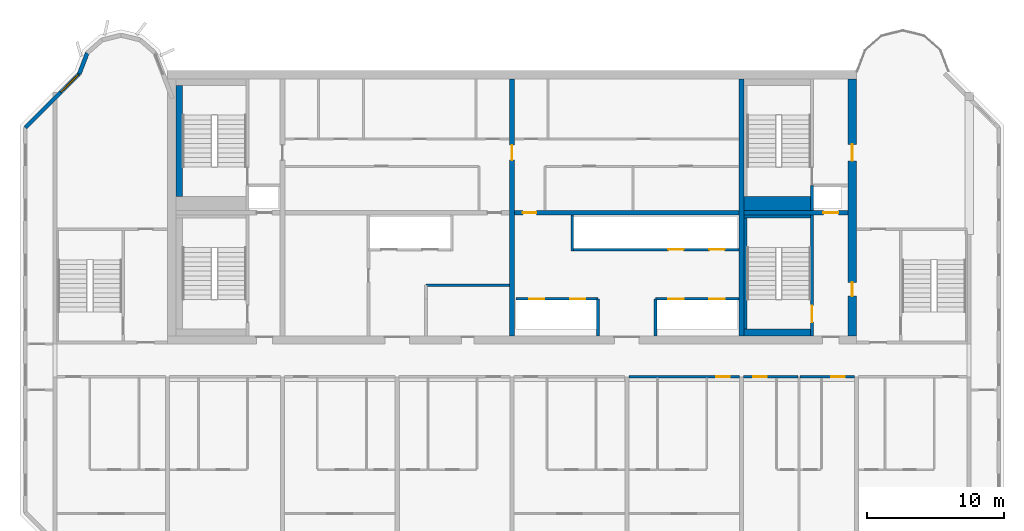
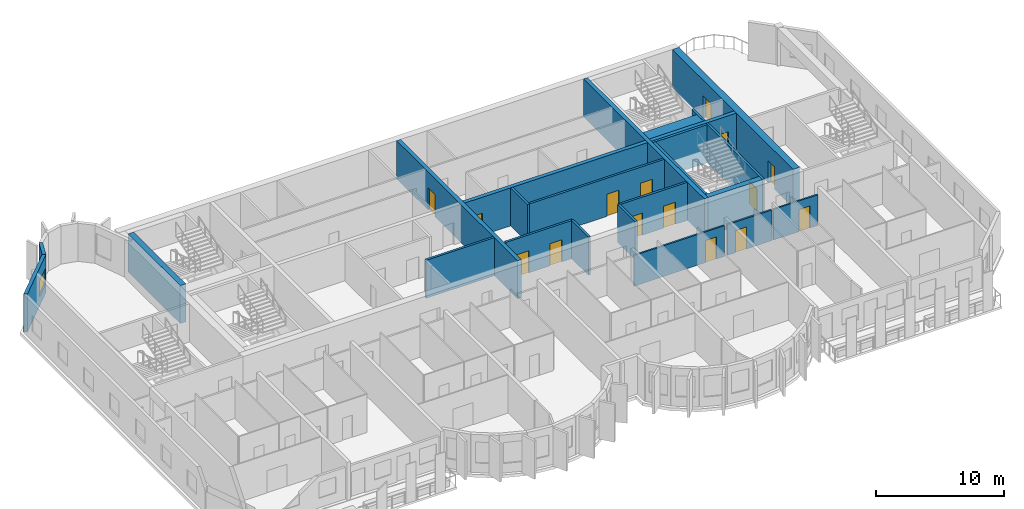
# One storey, part 6 of 12: 24 walls, 15 doors, 1 window, 16 openings.
"""IFC4 building model written with IfcOpenShell, lengths in metres."""

from ifc_helpers import new_model, si_unit, direction, frame, frame_2d, origin, place, context, subcontext, project, spatial, rectangle, extrude, source, transform, mapped, material, layer, layer_set, type_object, element, fill, save


model = new_model("IFC4")

# Units and contexts
model_context = context("Model", 3, precision=1e-05, world=origin(), true_north=direction((0.0, 1.0)))
body_context = subcontext(model_context, "Body", "Model", "MODEL_VIEW")
ifc_project = project(units=[si_unit("LENGTHUNIT", "METRE"), si_unit("AREAUNIT", "SQUARE_METRE"), si_unit("VOLUMEUNIT", "CUBIC_METRE"), si_unit("PLANEANGLEUNIT", "RADIAN"), si_unit("MASSUNIT", "GRAM", prefix="KILO")], contexts=[model_context])

# Site, building, storey
site_placement = place(None, origin())
site = spatial("IfcSite", under=ifc_project, at=site_placement, CompositionType="ELEMENT")
building_placement = place(site_placement, origin())
building = spatial("IfcBuilding", under=site, at=building_placement, Name="Vanashikhar Sky Hotel", CompositionType="ELEMENT")
storey_placement = place(building_placement, frame((0.0, 0.0, 253.0)))
storey = spatial("IfcBuildingStorey", under=building, at=storey_placement, Name="L61", CompositionType="ELEMENT", Elevation=253.0)

# Wall, openings, doors
ifc_material_1 = material(Name="Concrete M60", Category="concrete")
ifc_layer_1 = layer(ifc_material_1, 0.60009765625)
ifc_layer_set_1 = layer_set([ifc_layer_1], Name="RC core shell wall 600 Concrete M60")
wall_type_1 = type_object("IfcWallType", Name="RC core shell wall 600 Concrete M60", PredefinedType="SHEAR", material=ifc_layer_set_1)
shared_shape_1 = source(origin(), body_context, "Body", "SweptSolid", [
    extrude(rectangle(XDim=18.7998046875, YDim=0.60009765625, at=frame_2d((9.39990234375, 0.0))), origin(), (0.0, 0.0, 1.0), 3.6201171875),
])
wall_1_placement = place(storey_placement, frame((75.300048828125, 22.60009765625, 0.0), z_axis=(0.0, 0.0, 1.0), x_axis=(0.0, 1.0, 0.0)))
wall_1 = element("IfcWall", 1, at=wall_1_placement, inside=storey, type_object=wall_type_1, Name="KW-L61-KE", PredefinedType="SHEAR", context=body_context, shape_type="MappedRepresentation", body=[
    mapped(shared_shape_1, transform((0.0, 0.0, 0.0), scale=1.0)),
])
shared_shape_2 = source(origin(), body_context, "Body", "SweptSolid", [
    extrude(rectangle(XDim=1.0, YDim=2.10009765625, at=frame_2d((0.5, 1.050048828125))), frame((0.0, 0.31005859375, 0.0), z_axis=(0.0, -1.0, 0.0), x_axis=(1.0, 0.0, 0.0)), (0.0, 0.0, 1.0), 0.6201171875),
])
opening_1_placement = place(wall_1_placement, frame((2.89990234375, 0.0, 0.0)))
opening_1 = element("IfcOpeningElement", 2, at=opening_1_placement, cuts=wall_1, Name="Opening DC-5", PredefinedType="OPENING", context=body_context, shape_type="MappedRepresentation", body=[
    mapped(shared_shape_2, transform((0.0, 0.0, 0.0), scale=1.0)),
])
shared_shape_3 = source(origin(), body_context, "Body", "SweptSolid", [
    extrude(rectangle(XDim=1.199951171875, YDim=2.10009765625, at=frame_2d((0.60009765625, 1.050048828125))), frame((0.0, 0.31005859375, 0.0), z_axis=(0.0, -1.0, 0.0), x_axis=(1.0, 0.0, 0.0)), (0.0, 0.0, 1.0), 0.6201171875),
])
opening_2_placement = place(wall_1_placement, frame((12.800048828125, 0.0, 0.0)))
opening_2 = element("IfcOpeningElement", 3, at=opening_2_placement, cuts=wall_1, Name="Opening DC-4-D", PredefinedType="OPENING", context=body_context, shape_type="MappedRepresentation", body=[
    mapped(shared_shape_3, transform((0.0, 0.0, 0.0), scale=1.0)),
])
ifc_material_2 = material(Name="Steel", Category="steel")
door_type_1 = type_object("IfcDoorType", Name="Refuge door 1000 FD120", OperationType="NOTDEFINED", PredefinedType="DOOR", material=ifc_material_2)
shared_shape_4 = source(origin(), body_context, "Body", "SweptSolid", [
    extrude(rectangle(XDim=1.0, YDim=2.10009765625, at=frame_2d((0.5, 1.050048828125))), frame((0.0, 0.02490234375, 0.0), z_axis=(0.0, -1.0, 0.0), x_axis=(1.0, 0.0, 0.0)), (0.0, 0.0, 1.0), 0.050048828125),
])
door_1_placement = place(opening_1_placement, origin())
door_1 = element("IfcDoor", 4, at=door_1_placement, inside=storey, type_object=door_type_1, Name="Refuge door 1000 FD120", OperationType="SINGLE_SWING_LEFT", OverallHeight=2.10009765625, OverallWidth=1.0, PredefinedType="DOOR", context=body_context, shape_type="MappedRepresentation", body=[
    mapped(shared_shape_4, transform((0.0, 0.0, 0.0), scale=1.0)),
])
fill(opening_1, door_1)
door_type_2 = type_object("IfcDoorType", Name="Service door 1200 FD120", OperationType="NOTDEFINED", PredefinedType="DOOR", material=ifc_material_2)
shared_shape_5 = source(origin(), body_context, "Body", "SweptSolid", [
    extrude(rectangle(XDim=1.199951171875, YDim=2.10009765625, at=frame_2d((0.60009765625, 1.050048828125))), frame((0.0, 0.02490234375, 0.0), z_axis=(0.0, -1.0, 0.0), x_axis=(1.0, 0.0, 0.0)), (0.0, 0.0, 1.0), 0.050048828125),
])
door_2_placement = place(opening_2_placement, origin())
door_2 = element("IfcDoor", 5, at=door_2_placement, inside=storey, type_object=door_type_2, Name="Service door 1200 FD120", OperationType="SINGLE_SWING_RIGHT", OverallHeight=2.10009765625, OverallWidth=1.199951171875, PredefinedType="DOOR", context=body_context, shape_type="MappedRepresentation", body=[
    mapped(shared_shape_5, transform((0.0, 0.0, 0.0), scale=1.0)),
])
fill(opening_2, door_2)

# Wall, opening, door
ifc_layer_2 = layer(ifc_material_1, 0.35009765625)
ifc_layer_set_2 = layer_set([ifc_layer_2], Name="RC core inner wall 350 Concrete M60")
wall_type_2 = type_object("IfcWallType", Name="RC core inner wall 350 Concrete M60", PredefinedType="SHEAR", material=ifc_layer_set_2)
shared_shape_6 = source(origin(), body_context, "Body", "SweptSolid", [
    extrude(rectangle(XDim=18.7998046875, YDim=0.35009765625, at=frame_2d((9.39990234375, 0.0))), origin(), (0.0, 0.0, 1.0), 3.6201171875),
])
wall_2_placement = place(storey_placement, frame((50.39990234375, 22.60009765625, 0.0), z_axis=(0.0, 0.0, 1.0), x_axis=(0.0, 1.0, 0.0)))
wall_2 = element("IfcWall", 6, at=wall_2_placement, inside=storey, type_object=wall_type_2, Name="KW-L61-KX2", PredefinedType="SHEAR", context=body_context, shape_type="MappedRepresentation", body=[
    mapped(shared_shape_6, transform((0.0, 0.0, 0.0), scale=1.0)),
])
shared_shape_7 = source(origin(), body_context, "Body", "SweptSolid", [
    extrude(rectangle(XDim=1.10009765625, YDim=2.10009765625, at=frame_2d((0.550048828125, 1.050048828125))), frame((0.0, 0.18505859375, 0.0), z_axis=(0.0, -1.0, 0.0), x_axis=(1.0, 0.0, 0.0)), (0.0, 0.0, 1.0), 0.3701171875),
])
opening_3_placement = place(wall_2_placement, frame((12.85009765625, 0.0, 0.0)))
opening_3 = element("IfcOpeningElement", 7, at=opening_3_placement, cuts=wall_2, Name="Opening DC-4-C", PredefinedType="OPENING", context=body_context, shape_type="MappedRepresentation", body=[
    mapped(shared_shape_7, transform((0.0, 0.0, 0.0), scale=1.0)),
])
door_type_3 = type_object("IfcDoorType", Name="Service door 1100 FD60", OperationType="NOTDEFINED", PredefinedType="DOOR", material=ifc_material_2)
shared_shape_8 = source(origin(), body_context, "Body", "SweptSolid", [
    extrude(rectangle(XDim=1.10009765625, YDim=2.10009765625, at=frame_2d((0.550048828125, 1.050048828125))), frame((0.0, 0.02490234375, 0.0), z_axis=(0.0, -1.0, 0.0), x_axis=(1.0, 0.0, 0.0)), (0.0, 0.0, 1.0), 0.050048828125),
])
door_3_placement = place(opening_3_placement, origin())
door_3 = element("IfcDoor", 8, at=door_3_placement, inside=storey, type_object=door_type_3, Name="Service door 1100 FD60", OperationType="SINGLE_SWING_LEFT", OverallHeight=2.10009765625, OverallWidth=1.10009765625, PredefinedType="DOOR", context=body_context, shape_type="MappedRepresentation", body=[
    mapped(shared_shape_8, transform((0.0, 0.0, 0.0), scale=1.0)),
])
fill(opening_3, door_3)

# Wall
wall_3_placement = place(storey_placement, frame((67.199951171875, 22.60009765625, 0.0), z_axis=(0.0, 0.0, 1.0), x_axis=(0.0, 1.0, 0.0)))
element("IfcWall", 9, at=wall_3_placement, inside=storey, type_object=wall_type_2, Name="KW-L61-KX3", PredefinedType="SHEAR", context=body_context, shape_type="MappedRepresentation", body=[
    mapped(shared_shape_6, transform((0.0, 0.0, 0.0), scale=1.0)),
])

# Wall, opening, door
shared_shape_9 = source(origin(), body_context, "Body", "SweptSolid", [
    extrude(rectangle(XDim=7.625, YDim=0.35009765625, at=frame_2d((3.8125, 0.0))), origin(), (0.0, 0.0, 1.0), 3.6201171875),
])
wall_4_placement = place(storey_placement, frame((67.375, 31.60009765625, 0.0), z_axis=(0.0, 0.0, 1.0), x_axis=(1.0, 0.0, 0.0)))
wall_4 = element("IfcWall", 10, at=wall_4_placement, inside=storey, type_object=wall_type_2, Name="KW-L61-KY4", PredefinedType="SHEAR", context=body_context, shape_type="MappedRepresentation", body=[
    mapped(shared_shape_9, transform((0.0, 0.0, 0.0), scale=1.0)),
])
opening_4_placement = place(wall_4_placement, frame((5.800048828125, 0.0, 0.0)))
opening_4 = element("IfcOpeningElement", 11, at=opening_4_placement, cuts=wall_4, Name="Opening LD", PredefinedType="OPENING", context=body_context, shape_type="MappedRepresentation", body=[
    mapped(shared_shape_7, transform((0.0, 0.0, 0.0), scale=1.0)),
])
ifc_material_3 = material(Name="Stainless steel", Category="steel")
door_type_4 = type_object("IfcDoorType", Name="Lift landing door 1100", OperationType="NOTDEFINED", PredefinedType="DOOR", material=ifc_material_3)
door_4_placement = place(opening_4_placement, origin())
door_4 = element("IfcDoor", 12, at=door_4_placement, inside=storey, type_object=door_type_4, Name="Lift landing door 1100", OperationType="SLIDING_TO_RIGHT", OverallHeight=2.10009765625, OverallWidth=1.10009765625, PredefinedType="DOOR", context=body_context, shape_type="MappedRepresentation", body=[
    mapped(shared_shape_8, transform((0.0, 0.0, 0.0), scale=1.0)),
])
fill(opening_4, door_4)

shared_shape_10 = source(origin(), body_context, "Body", "SweptSolid", [
    extrude(rectangle(XDim=16.449951171875, YDim=0.35009765625, at=frame_2d((8.22509765625, 0.0))), origin(), (0.0, 0.0, 1.0), 3.6201171875),
])
wall_5_placement = place(storey_placement, frame((50.574951171875, 31.60009765625, 0.0), z_axis=(0.0, 0.0, 1.0), x_axis=(1.0, 0.0, 0.0)))
wall_5 = element("IfcWall", 13, at=wall_5_placement, inside=storey, type_object=wall_type_2, Name="KW-L61-KY3", PredefinedType="SHEAR", context=body_context, shape_type="MappedRepresentation", body=[
    mapped(shared_shape_10, transform((0.0, 0.0, 0.0), scale=1.0)),
])
shared_shape_11 = source(origin(), body_context, "Body", "SweptSolid", [
    extrude(rectangle(XDim=1.0, YDim=2.10009765625, at=frame_2d((0.5, 1.050048828125))), frame((0.0, 0.18505859375, 0.0), z_axis=(0.0, -1.0, 0.0), x_axis=(1.0, 0.0, 0.0)), (0.0, 0.0, 1.0), 0.3701171875),
])
opening_5_placement = place(wall_5_placement, frame((0.613037109375, 0.0, 0.0)))
opening_5 = element("IfcOpeningElement", 14, at=opening_5_placement, cuts=wall_5, Name="Opening DC-4", PredefinedType="OPENING", context=body_context, shape_type="MappedRepresentation", body=[
    mapped(shared_shape_11, transform((0.0, 0.0, 0.0), scale=1.0)),
])
door_type_5 = type_object("IfcDoorType", Name="Service door 1000 FD60", OperationType="NOTDEFINED", PredefinedType="DOOR", material=ifc_material_2)
door_5_placement = place(opening_5_placement, origin())
door_5 = element("IfcDoor", 15, at=door_5_placement, inside=storey, type_object=door_type_5, Name="Service door 1000 FD60", OperationType="SINGLE_SWING_RIGHT", OverallHeight=2.10009765625, OverallWidth=1.0, PredefinedType="DOOR", context=body_context, shape_type="MappedRepresentation", body=[
    mapped(shared_shape_4, transform((0.0, 0.0, 0.0), scale=1.0)),
])
fill(opening_5, door_5)

# Wall, opening, window
ifc_material_4 = material(Name="Concrete M50", Category="concrete")
ifc_layer_3 = layer(ifc_material_4, 0.300048828125)
ifc_layer_set_3 = layer_set([ifc_layer_3], Name="Lobe wall 300")
wall_type_3 = type_object("IfcWallType", Name="Lobe wall 300", PredefinedType="SOLIDWALL", material=ifc_layer_set_3)
shared_shape_12 = source(origin(), body_context, "Body", "SweptSolid", [
    extrude(rectangle(XDim=5.576416015625, YDim=0.300048828125, at=frame_2d((2.7880859375, 0.0))), origin(), (0.0, 0.0, 1.0), 3.6201171875),
])
wall_6_placement = place(storey_placement, frame((18.7431640625, 41.77734375, 0.0), z_axis=(0.0, 0.0, 1.0), x_axis=(-0.707106781187, -0.707106781187, 0.0)))
wall_6 = element("IfcWall", 16, at=wall_6_placement, inside=storey, type_object=wall_type_3, Name="Corner wall", PredefinedType="SOLIDWALL", context=body_context, shape_type="MappedRepresentation", body=[
    mapped(shared_shape_12, transform((0.0, 0.0, 0.0), scale=1.0)),
])
shared_shape_13 = source(origin(), body_context, "Body", "SweptSolid", [
    extrude(rectangle(XDim=1.800048828125, YDim=1.5, at=frame_2d((0.89990234375, 0.75))), frame((0.0, 0.16015625, 0.0), z_axis=(0.0, -1.0, 0.0), x_axis=(1.0, 0.0, 0.0)), (0.0, 0.0, 1.0), 0.320068359375),
])
opening_6_placement = place(wall_6_placement, frame((0.117919921875, 0.0, 0.89990234375)))
opening_6 = element("IfcOpeningElement", 17, at=opening_6_placement, cuts=wall_6, Name="Opening WN-4", PredefinedType="OPENING", context=body_context, shape_type="MappedRepresentation", body=[
    mapped(shared_shape_13, transform((0.0, 0.0, 0.0), scale=1.0)),
])
ifc_material_5 = material(Name="Glass", Category="glass")
window_type = type_object("IfcWindowType", Name="Corner window 1800 x 1500", PartitioningType="SINGLE_PANEL", PredefinedType="WINDOW", material=ifc_material_5)
shared_shape_14 = source(origin(), body_context, "Body", "SweptSolid", [
    extrude(rectangle(XDim=1.800048828125, YDim=1.5, at=frame_2d((0.89990234375, 0.75))), frame((0.0, 0.030029296875, 0.0), z_axis=(0.0, -1.0, 0.0), x_axis=(1.0, 0.0, 0.0)), (0.0, 0.0, 1.0), 0.06005859375),
])
window_placement = place(opening_6_placement, origin())
window = element("IfcWindow", 18, at=window_placement, inside=storey, type_object=window_type, Name="Window WN-4", OverallHeight=1.5, OverallWidth=1.800048828125, PartitioningType="SINGLE_PANEL", PredefinedType="WINDOW", context=body_context, shape_type="MappedRepresentation", body=[
    mapped(shared_shape_14, transform((0.0, 0.0, 0.0), scale=1.0)),
])
fill(opening_6, window)

# Wall
shared_shape_15 = source(origin(), body_context, "Body", "SweptSolid", [
    extrude(rectangle(XDim=1.6220703125, YDim=0.300048828125, at=frame_2d((0.81103515625, 0.0))), origin(), (0.0, 0.0, 1.0), 3.6201171875),
])
wall_7_placement = place(storey_placement, frame((19.323486328125, 43.2919921875, 0.0), z_axis=(0.0, 0.0, 1.0), x_axis=(-0.357778527068, -0.933806471154, 0.0)))
element("IfcWall", 19, at=wall_7_placement, inside=storey, type_object=wall_type_3, Name="Lobe wall", PredefinedType="SOLIDWALL", context=body_context, shape_type="MappedRepresentation", body=[
    mapped(shared_shape_15, transform((0.0, 0.0, 0.0), scale=1.0)),
])

# Wall, openings, doors
ifc_material_6 = material(Name="Concrete M40", Category="concrete")
ifc_layer_4 = layer(ifc_material_6, 0.199951171875)
ifc_layer_set_4 = layer_set([ifc_layer_4], Name="Shaft wall 200")
wall_type_4 = type_object("IfcWallType", Name="Shaft wall 200", PredefinedType="SOLIDWALL", material=ifc_layer_set_4)
shared_shape_16 = source(origin(), body_context, "Body", "SweptSolid", [
    extrude(rectangle(XDim=6.0, YDim=0.199951171875, at=frame_2d((3.0, 0.0))), origin(), (0.0, 0.0, 1.0), 3.6201171875),
])
wall_8_placement = place(storey_placement, frame((56.699951171875, 25.300048828125, 0.0), z_axis=(0.0, 0.0, 1.0), x_axis=(-1.0, 0.0, 0.0)))
wall_8 = element("IfcWall", 20, at=wall_8_placement, inside=storey, type_object=wall_type_4, Name="Shaft wall 200", PredefinedType="SOLIDWALL", context=body_context, shape_type="MappedRepresentation", body=[
    mapped(shared_shape_16, transform((0.0, 0.0, 0.0), scale=1.0)),
])
shared_shape_17 = source(origin(), body_context, "Body", "SweptSolid", [
    extrude(rectangle(XDim=1.10009765625, YDim=2.10009765625, at=frame_2d((0.550048828125, 1.050048828125))), frame((0.0, 0.10986328125, 0.0), z_axis=(0.0, -1.0, 0.0), x_axis=(1.0, 0.0, 0.0)), (0.0, 0.0, 1.0), 0.219970703125),
])
opening_7_placement = place(wall_8_placement, frame((0.949951171875, 0.0, 0.0)))
opening_7 = element("IfcOpeningElement", 21, at=opening_7_placement, cuts=wall_8, Name="Opening LD", PredefinedType="OPENING", context=body_context, shape_type="MappedRepresentation", body=[
    mapped(shared_shape_17, transform((0.0, 0.0, 0.0), scale=1.0)),
])
opening_8_placement = place(wall_8_placement, frame((3.949951171875, 0.0, 0.0)))
opening_8 = element("IfcOpeningElement", 22, at=opening_8_placement, cuts=wall_8, Name="Opening LD", PredefinedType="OPENING", context=body_context, shape_type="MappedRepresentation", body=[
    mapped(shared_shape_17, transform((0.0, 0.0, 0.0), scale=1.0)),
])
door_6_placement = place(opening_7_placement, origin())
door_6 = element("IfcDoor", 23, at=door_6_placement, inside=storey, type_object=door_type_4, Name="Lift landing door 1100", OperationType="SLIDING_TO_RIGHT", OverallHeight=2.10009765625, OverallWidth=1.10009765625, PredefinedType="DOOR", context=body_context, shape_type="MappedRepresentation", body=[
    mapped(shared_shape_8, transform((0.0, 0.0, 0.0), scale=1.0)),
])
fill(opening_7, door_6)
door_7_placement = place(opening_8_placement, origin())
door_7 = element("IfcDoor", 24, at=door_7_placement, inside=storey, type_object=door_type_4, Name="Lift landing door 1100", OperationType="SLIDING_TO_LEFT", OverallHeight=2.10009765625, OverallWidth=1.10009765625, PredefinedType="DOOR", context=body_context, shape_type="MappedRepresentation", body=[
    mapped(shared_shape_8, transform((0.0, 0.0, 0.0), scale=1.0)),
])
fill(opening_8, door_7)

# Walls
shared_shape_18 = source(origin(), body_context, "Body", "SweptSolid", [
    extrude(rectangle(XDim=2.699951171875, YDim=0.199951171875, at=frame_2d((1.35009765625, 0.0))), origin(), (0.0, 0.0, 1.0), 3.6201171875),
])
for number, where, z_axis, x_axis, name in (
    (25, (60.89990234375, 22.60009765625, 0.0), (0.0, 0.0, 1.0), (0.0, 1.0, 0.0), "Shaft wall 200"),
    (26, (56.699951171875, 22.60009765625, 0.0), (0.0, 0.0, 1.0), (0.0, 1.0, 0.0), "Shaft wall 200"),
):
    element("IfcWall", number, at=place(storey_placement, frame(where, z_axis=z_axis, x_axis=x_axis)), inside=storey, type_object=wall_type_4, Name=name, PredefinedType="SOLIDWALL", context=body_context, shape_type="MappedRepresentation", body=[
        mapped(shared_shape_18, transform((0.0, 0.0, 0.0), scale=1.0)),
    ])
shared_shape_19 = source(origin(), body_context, "Body", "SweptSolid", [
    extrude(rectangle(XDim=2.625, YDim=0.199951171875, at=frame_2d((1.3125, 0.0))), origin(), (0.0, 0.0, 1.0), 3.6201171875),
])
wall_9_placement = place(storey_placement, frame((54.800048828125, 28.800048828125, 0.0), z_axis=(0.0, 0.0, 1.0), x_axis=(0.0, 1.0, 0.0)))
element("IfcWall", 27, at=wall_9_placement, inside=storey, type_object=wall_type_4, Name="Shaft wall 200", PredefinedType="SOLIDWALL", context=body_context, shape_type="MappedRepresentation", body=[
    mapped(shared_shape_19, transform((0.0, 0.0, 0.0), scale=1.0)),
])
ifc_material_7 = material(Name="Gypsum board partition")
ifc_layer_5 = layer(ifc_material_7, 0.14990234375)
ifc_layer_set_5 = layer_set([ifc_layer_5], Name="Service partition 150")
wall_type_5 = type_object("IfcWallType", Name="Service partition 150", PredefinedType="PARTITIONING", material=ifc_layer_set_5)
shared_shape_20 = source(origin(), body_context, "Body", "SweptSolid", [
    extrude(rectangle(XDim=6.125, YDim=0.199951171875, at=frame_2d((3.0625, 0.0))), origin(), (0.0, 0.0, 1.0), 3.6201171875),
])
wall_10_placement = place(storey_placement, frame((44.10009765625, 26.300048828125, 0.0), z_axis=(0.0, 0.0, 1.0), x_axis=(1.0, 0.0, 0.0)))
element("IfcWall", 28, at=wall_10_placement, inside=storey, type_object=wall_type_5, Name="Service partition 150", PredefinedType="PARTITIONING", context=body_context, shape_type="MappedRepresentation", body=[
    mapped(shared_shape_20, transform((0.0, 0.0, 0.0), scale=1.0)),
])

# Wall, openings, doors
wall_11_placement = place(storey_placement, frame((67.02490234375, 25.300048828125, 0.0), z_axis=(0.0, 0.0, 1.0), x_axis=(-1.0, 0.0, 0.0)))
wall_11 = element("IfcWall", 29, at=wall_11_placement, inside=storey, type_object=wall_type_4, Name="Shaft wall 200", PredefinedType="SOLIDWALL", context=body_context, shape_type="MappedRepresentation", body=[
    mapped(shared_shape_20, transform((0.0, 0.0, 0.0), scale=1.0)),
])
opening_9_placement = place(wall_11_placement, frame((1.074951171875, 0.0, 0.0)))
opening_9 = element("IfcOpeningElement", 30, at=opening_9_placement, cuts=wall_11, Name="Opening LD", PredefinedType="OPENING", context=body_context, shape_type="MappedRepresentation", body=[
    mapped(shared_shape_17, transform((0.0, 0.0, 0.0), scale=1.0)),
])
opening_10_placement = place(wall_11_placement, frame((4.074951171875, 0.0, 0.0)))
opening_10 = element("IfcOpeningElement", 31, at=opening_10_placement, cuts=wall_11, Name="Opening LD", PredefinedType="OPENING", context=body_context, shape_type="MappedRepresentation", body=[
    mapped(shared_shape_17, transform((0.0, 0.0, 0.0), scale=1.0)),
])
door_8_placement = place(opening_9_placement, origin())
door_8 = element("IfcDoor", 32, at=door_8_placement, inside=storey, type_object=door_type_4, Name="Lift landing door 1100", OperationType="SLIDING_TO_RIGHT", OverallHeight=2.10009765625, OverallWidth=1.10009765625, PredefinedType="DOOR", context=body_context, shape_type="MappedRepresentation", body=[
    mapped(shared_shape_8, transform((0.0, 0.0, 0.0), scale=1.0)),
])
fill(opening_9, door_8)
door_9_placement = place(opening_10_placement, origin())
door_9 = element("IfcDoor", 33, at=door_9_placement, inside=storey, type_object=door_type_4, Name="Lift landing door 1100", OperationType="SLIDING_TO_LEFT", OverallHeight=2.10009765625, OverallWidth=1.10009765625, PredefinedType="DOOR", context=body_context, shape_type="MappedRepresentation", body=[
    mapped(shared_shape_8, transform((0.0, 0.0, 0.0), scale=1.0)),
])
fill(opening_10, door_9)

shared_shape_21 = source(origin(), body_context, "Body", "SweptSolid", [
    extrude(rectangle(XDim=12.125, YDim=0.199951171875, at=frame_2d((6.0625, 0.0))), origin(), (0.0, 0.0, 1.0), 3.6201171875),
])
wall_12_placement = place(storey_placement, frame((67.02490234375, 28.89990234375, 0.0), z_axis=(0.0, 0.0, 1.0), x_axis=(-1.0, 0.0, 0.0)))
wall_12 = element("IfcWall", 34, at=wall_12_placement, inside=storey, type_object=wall_type_4, Name="Shaft wall 200", PredefinedType="SOLIDWALL", context=body_context, shape_type="MappedRepresentation", body=[
    mapped(shared_shape_21, transform((0.0, 0.0, 0.0), scale=1.0)),
])
opening_11_placement = place(wall_12_placement, frame((1.074951171875, 0.0, 0.0)))
opening_11 = element("IfcOpeningElement", 35, at=opening_11_placement, cuts=wall_12, Name="Opening LD", PredefinedType="OPENING", context=body_context, shape_type="MappedRepresentation", body=[
    mapped(shared_shape_17, transform((0.0, 0.0, 0.0), scale=1.0)),
])
opening_12_placement = place(wall_12_placement, frame((4.074951171875, 0.0, 0.0)))
opening_12 = element("IfcOpeningElement", 36, at=opening_12_placement, cuts=wall_12, Name="Opening LD", PredefinedType="OPENING", context=body_context, shape_type="MappedRepresentation", body=[
    mapped(shared_shape_17, transform((0.0, 0.0, 0.0), scale=1.0)),
])
door_10_placement = place(opening_11_placement, origin())
door_10 = element("IfcDoor", 37, at=door_10_placement, inside=storey, type_object=door_type_4, Name="Lift landing door 1100", OperationType="SLIDING_TO_RIGHT", OverallHeight=2.10009765625, OverallWidth=1.10009765625, PredefinedType="DOOR", context=body_context, shape_type="MappedRepresentation", body=[
    mapped(shared_shape_8, transform((0.0, 0.0, 0.0), scale=1.0)),
])
fill(opening_11, door_10)
door_11_placement = place(opening_12_placement, origin())
door_11 = element("IfcDoor", 38, at=door_11_placement, inside=storey, type_object=door_type_4, Name="Lift landing door 1100", OperationType="SLIDING_TO_LEFT", OverallHeight=2.10009765625, OverallWidth=1.10009765625, PredefinedType="DOOR", context=body_context, shape_type="MappedRepresentation", body=[
    mapped(shared_shape_8, transform((0.0, 0.0, 0.0), scale=1.0)),
])
fill(opening_12, door_11)

# Wall, opening, door
ifc_layer_6 = layer(ifc_material_4, 0.199951171875)
ifc_layer_set_6 = layer_set([ifc_layer_6], Name="Stair wall 200")
wall_type_6 = type_object("IfcWallType", Name="Stair wall 200", PredefinedType="SOLIDWALL", material=ifc_layer_set_6)
shared_shape_22 = source(origin(), body_context, "Body", "SweptSolid", [
    extrude(rectangle(XDim=8.824951171875, YDim=0.199951171875, at=frame_2d((4.41259765625, 0.0))), origin(), (0.0, 0.0, 1.0), 3.6201171875),
])
wall_13_placement = place(storey_placement, frame((72.35009765625, 22.60009765625, 0.0), z_axis=(0.0, 0.0, 1.0), x_axis=(0.0, 1.0, 0.0)))
wall_13 = element("IfcWall", 39, at=wall_13_placement, inside=storey, type_object=wall_type_6, Name="Stair wall 200", PredefinedType="SOLIDWALL", context=body_context, shape_type="MappedRepresentation", body=[
    mapped(shared_shape_22, transform((0.0, 0.0, 0.0), scale=1.0)),
])
shared_shape_23 = source(origin(), body_context, "Body", "SweptSolid", [
    extrude(rectangle(XDim=1.199951171875, YDim=2.10009765625, at=frame_2d((0.60009765625, 1.050048828125))), frame((0.0, 0.10986328125, 0.0), z_axis=(0.0, -1.0, 0.0), x_axis=(1.0, 0.0, 0.0)), (0.0, 0.0, 1.0), 0.219970703125),
])
opening_13_placement = place(wall_13_placement, frame((1.0, 0.0, 0.0)))
opening_13 = element("IfcOpeningElement", 40, at=opening_13_placement, cuts=wall_13, Name="Opening DC-1", PredefinedType="OPENING", context=body_context, shape_type="MappedRepresentation", body=[
    mapped(shared_shape_23, transform((0.0, 0.0, 0.0), scale=1.0)),
])
door_type_6 = type_object("IfcDoorType", Name="Stair door 1200 FD120", OperationType="NOTDEFINED", PredefinedType="DOOR", material=ifc_material_2)
door_12_placement = place(opening_13_placement, origin())
door_12 = element("IfcDoor", 41, at=door_12_placement, inside=storey, type_object=door_type_6, Name="Stair door 1200 FD120", OperationType="SINGLE_SWING_RIGHT", OverallHeight=2.10009765625, OverallWidth=1.199951171875, PredefinedType="DOOR", context=body_context, shape_type="MappedRepresentation", body=[
    mapped(shared_shape_5, transform((0.0, 0.0, 0.0), scale=1.0)),
])
fill(opening_13, door_12)

# Walls
shared_shape_24 = source(origin(), body_context, "Body", "SweptSolid", [
    extrude(rectangle(XDim=1.8251953125, YDim=0.199951171875, at=frame_2d((0.91259765625, 0.0))), origin(), (0.0, 0.0, 1.0), 3.6201171875),
])
wall_14_placement = place(storey_placement, frame((72.35009765625, 31.77490234375, 0.0), z_axis=(0.0, 0.0, 1.0), x_axis=(0.0, 1.0, 0.0)))
element("IfcWall", 42, at=wall_14_placement, inside=storey, type_object=wall_type_4, Name="Shaft wall 200", PredefinedType="SOLIDWALL", context=body_context, shape_type="MappedRepresentation", body=[
    mapped(shared_shape_24, transform((0.0, 0.0, 0.0), scale=1.0)),
])
ifc_layer_7 = layer(ifc_material_4, 0.5)
ifc_layer_set_7 = layer_set([ifc_layer_7], Name="Stair infill wall 500")
wall_type_7 = type_object("IfcWallType", Name="Stair infill wall 500", PredefinedType="SOLIDWALL", material=ifc_layer_set_7)
shared_shape_25 = source(origin(), body_context, "Body", "SweptSolid", [
    extrude(rectangle(XDim=8.099853515625, YDim=0.5, at=frame_2d((4.0498046875, 0.0))), origin(), (0.0, 0.0, 1.0), 3.6201171875),
])
wall_15_placement = place(storey_placement, frame((26.050048828125, 32.800048828125, 0.0), z_axis=(0.0, 0.0, 1.0), x_axis=(0.0, 1.0, 0.0)))
element("IfcWall", 43, at=wall_15_placement, inside=storey, type_object=wall_type_7, Name="Stair infill wall 500", PredefinedType="SOLIDWALL", context=body_context, shape_type="MappedRepresentation", body=[
    mapped(shared_shape_25, transform((0.0, 0.0, 0.0), scale=1.0)),
])
shared_shape_26 = source(origin(), body_context, "Body", "SweptSolid", [
    extrude(rectangle(XDim=4.875, YDim=0.5, at=frame_2d((2.4375, 0.0))), origin(), (0.0, 0.0, 1.0), 3.6201171875),
])
wall_16_placement = place(storey_placement, frame((67.375, 22.85009765625, 0.0), z_axis=(0.0, 0.0, 1.0), x_axis=(1.0, 0.0, 0.0)))
element("IfcWall", 44, at=wall_16_placement, inside=storey, type_object=wall_type_7, Name="Stair infill wall 500", PredefinedType="SOLIDWALL", context=body_context, shape_type="MappedRepresentation", body=[
    mapped(shared_shape_26, transform((0.0, 0.0, 0.0), scale=1.0)),
])
ifc_layer_8 = layer(ifc_material_4, 0.22509765625)
ifc_layer_set_8 = layer_set([ifc_layer_8], Name="Stair infill wall 225")
wall_type_8 = type_object("IfcWallType", Name="Stair infill wall 225", PredefinedType="SOLIDWALL", material=ifc_layer_set_8)
shared_shape_27 = source(origin(), body_context, "Body", "SweptSolid", [
    extrude(rectangle(XDim=4.875, YDim=0.22509765625, at=frame_2d((2.4375, 0.0))), origin(), (0.0, 0.0, 1.0), 3.6201171875),
])
wall_17_placement = place(storey_placement, frame((67.375, 31.31201171875, 0.0), z_axis=(0.0, 0.0, 1.0), x_axis=(1.0, 0.0, 0.0)))
element("IfcWall", 45, at=wall_17_placement, inside=storey, type_object=wall_type_8, Name="Stair infill wall 225", PredefinedType="SOLIDWALL", context=body_context, shape_type="MappedRepresentation", body=[
    mapped(shared_shape_27, transform((0.0, 0.0, 0.0), scale=1.0)),
])
shared_shape_28 = source(origin(), body_context, "Body", "SweptSolid", [
    extrude(rectangle(XDim=8.099853515625, YDim=0.22509765625, at=frame_2d((4.0498046875, 0.0))), origin(), (0.0, 0.0, 1.0), 3.6201171875),
])
wall_18_placement = place(storey_placement, frame((67.487060546875, 23.10009765625, 0.0), z_axis=(0.0, 0.0, 1.0), x_axis=(0.0, 1.0, 0.0)))
element("IfcWall", 46, at=wall_18_placement, inside=storey, type_object=wall_type_8, Name="Stair infill wall 225", PredefinedType="SOLIDWALL", context=body_context, shape_type="MappedRepresentation", body=[
    mapped(shared_shape_28, transform((0.0, 0.0, 0.0), scale=1.0)),
])
ifc_layer_9 = layer(ifc_material_4, 1.02490234375)
ifc_layer_set_9 = layer_set([ifc_layer_9], Name="Stair infill wall 1025")
wall_type_9 = type_object("IfcWallType", Name="Stair infill wall 1025", PredefinedType="SOLIDWALL", material=ifc_layer_set_9)
shared_shape_29 = source(origin(), body_context, "Body", "SweptSolid", [
    extrude(rectangle(XDim=4.875, YDim=1.02490234375, at=frame_2d((2.4375, 0.0))), origin(), (0.0, 0.0, 1.0), 3.6201171875),
])
wall_19_placement = place(storey_placement, frame((67.375, 32.287109375, 0.0), z_axis=(0.0, 0.0, 1.0), x_axis=(1.0, 0.0, 0.0)))
element("IfcWall", 47, at=wall_19_placement, inside=storey, type_object=wall_type_9, Name="Stair infill wall 1025", PredefinedType="SOLIDWALL", context=body_context, shape_type="MappedRepresentation", body=[
    mapped(shared_shape_29, transform((0.0, 0.0, 0.0), scale=1.0)),
])

# Wall, opening, door
ifc_material_8 = material(Name="Gypsum plasterboard partition")
ifc_layer_10 = layer(ifc_material_8, 0.14990234375)
ifc_layer_set_10 = layer_set([ifc_layer_10], Name="Corridor and demising partition 150")
wall_type_10 = type_object("IfcWallType", Name="Corridor and demising partition 150", PredefinedType="PARTITIONING", material=ifc_layer_set_10)
shared_shape_30 = source(origin(), body_context, "Body", "SweptSolid", [
    extrude(rectangle(XDim=8.10009765625, YDim=0.14990234375, at=frame_2d((4.050048828125, 0.0))), origin(), (0.0, 0.0, 1.0), 2.919921875),
])
wall_20_placement = place(storey_placement, frame((58.949951171875, 19.60009765625, 0.0), z_axis=(0.0, 0.0, 1.0), x_axis=(1.0, 0.0, 0.0)))
wall_20 = element("IfcWall", 48, at=wall_20_placement, inside=storey, type_object=wall_type_10, Name="W-L61-PW034", PredefinedType="PARTITIONING", context=body_context, shape_type="MappedRepresentation", body=[
    mapped(shared_shape_30, transform((0.0, 0.0, 0.0), scale=1.0)),
])
shared_shape_31 = source(origin(), body_context, "Body", "SweptSolid", [
    extrude(rectangle(XDim=1.0, YDim=2.10009765625, at=frame_2d((0.5, 1.050048828125))), frame((0.0, 0.0849609375, 0.0), z_axis=(0.0, -1.0, 0.0), x_axis=(1.0, 0.0, 0.0)), (0.0, 0.0, 1.0), 0.169921875),
])
opening_14_placement = place(wall_20_placement, frame((6.39990234375, 0.0, 0.0)))
opening_14 = element("IfcOpeningElement", 49, at=opening_14_placement, cuts=wall_20, Name="Opening D-01", PredefinedType="OPENING", context=body_context, shape_type="MappedRepresentation", body=[
    mapped(shared_shape_31, transform((0.0, 0.0, 0.0), scale=1.0)),
])
ifc_material_9 = material(Name="Timber fire door", Category="wood")
door_type_7 = type_object("IfcDoorType", Name="Guest entry door 1000 FD30S", OperationType="NOTDEFINED", PredefinedType="DOOR", material=ifc_material_9)
door_13_placement = place(opening_14_placement, origin())
door_13 = element("IfcDoor", 50, at=door_13_placement, inside=storey, type_object=door_type_7, Name="D-L61-022", OperationType="SINGLE_SWING_RIGHT", OverallHeight=2.10009765625, OverallWidth=1.0, PredefinedType="DOOR", context=body_context, shape_type="MappedRepresentation", body=[
    mapped(shared_shape_4, transform((0.0, 0.0, 0.0), scale=1.0)),
])
fill(opening_14, door_13)

shared_shape_32 = source(origin(), body_context, "Body", "SweptSolid", [
    extrude(rectangle(XDim=3.974853515625, YDim=0.14990234375, at=frame_2d((1.9873046875, 0.0))), origin(), (0.0, 0.0, 1.0), 2.919921875),
])
wall_21_placement = place(storey_placement, frame((67.35009765625, 19.60009765625, 0.0), z_axis=(0.0, 0.0, 1.0), x_axis=(1.0, 0.0, 0.0)))
wall_21 = element("IfcWall", 51, at=wall_21_placement, inside=storey, type_object=wall_type_10, Name="W-L61-PW037", PredefinedType="PARTITIONING", context=body_context, shape_type="MappedRepresentation", body=[
    mapped(shared_shape_32, transform((0.0, 0.0, 0.0), scale=1.0)),
])
opening_15_placement = place(wall_21_placement, frame((0.699951171875, 0.0, 0.0)))
opening_15 = element("IfcOpeningElement", 52, at=opening_15_placement, cuts=wall_21, Name="Opening D-01", PredefinedType="OPENING", context=body_context, shape_type="MappedRepresentation", body=[
    mapped(shared_shape_31, transform((0.0, 0.0, 0.0), scale=1.0)),
])
door_14_placement = place(opening_15_placement, origin())
door_14 = element("IfcDoor", 53, at=door_14_placement, inside=storey, type_object=door_type_7, Name="D-L61-024", OperationType="SINGLE_SWING_LEFT", OverallHeight=2.10009765625, OverallWidth=1.0, PredefinedType="DOOR", context=body_context, shape_type="MappedRepresentation", body=[
    mapped(shared_shape_4, transform((0.0, 0.0, 0.0), scale=1.0)),
])
fill(opening_15, door_14)

wall_22_placement = place(storey_placement, frame((71.47509765625, 19.60009765625, 0.0), z_axis=(0.0, 0.0, 1.0), x_axis=(1.0, 0.0, 0.0)))
wall_22 = element("IfcWall", 54, at=wall_22_placement, inside=storey, type_object=wall_type_10, Name="W-L61-PW040", PredefinedType="PARTITIONING", context=body_context, shape_type="MappedRepresentation", body=[
    mapped(shared_shape_32, transform((0.0, 0.0, 0.0), scale=1.0)),
])
opening_16_placement = place(wall_22_placement, frame((2.27490234375, 0.0, 0.0)))
opening_16 = element("IfcOpeningElement", 55, at=opening_16_placement, cuts=wall_22, Name="Opening D-01", PredefinedType="OPENING", context=body_context, shape_type="MappedRepresentation", body=[
    mapped(shared_shape_31, transform((0.0, 0.0, 0.0), scale=1.0)),
])
door_15_placement = place(opening_16_placement, origin())
door_15 = element("IfcDoor", 56, at=door_15_placement, inside=storey, type_object=door_type_7, Name="D-L61-026", OperationType="SINGLE_SWING_RIGHT", OverallHeight=2.10009765625, OverallWidth=1.0, PredefinedType="DOOR", context=body_context, shape_type="MappedRepresentation", body=[
    mapped(shared_shape_4, transform((0.0, 0.0, 0.0), scale=1.0)),
])
fill(opening_16, door_15)

save(model, "model.ifc")
